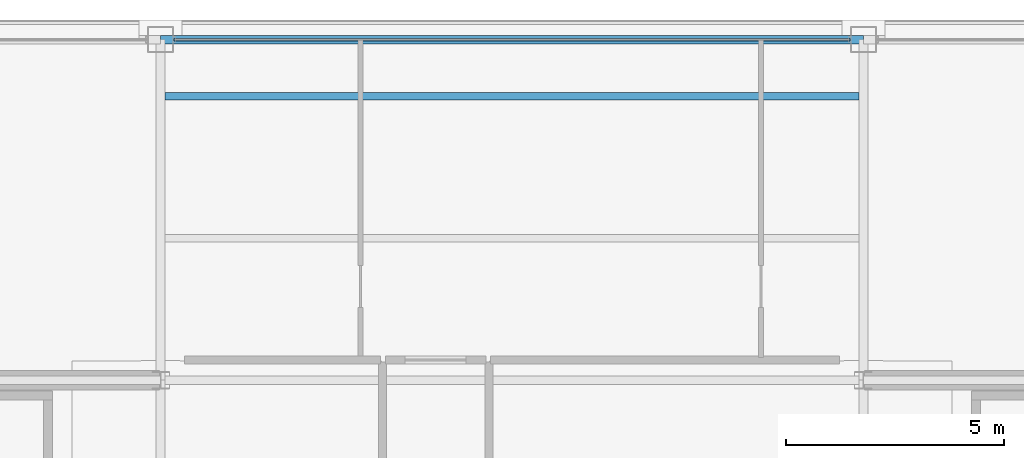
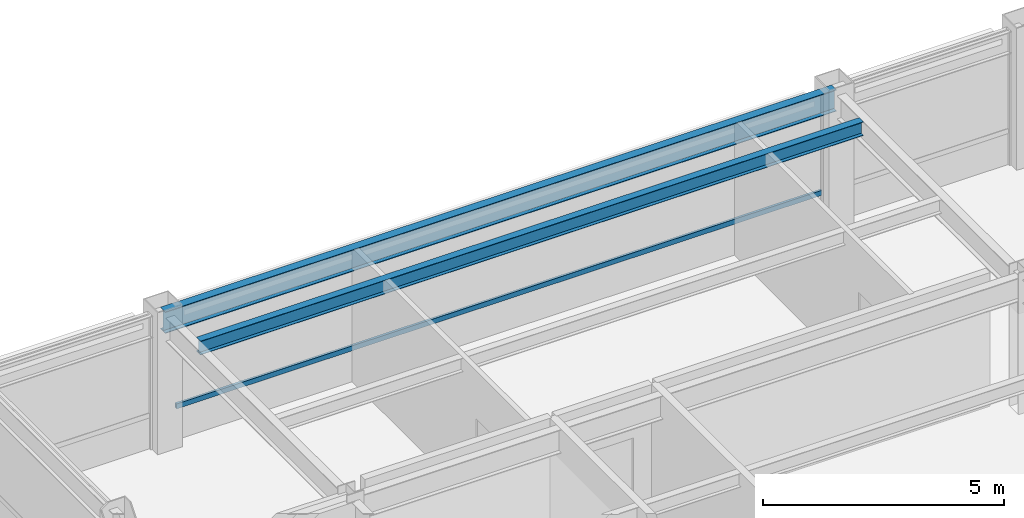
# One storey, part 15 of 22: 2 beams, 1 member, 1 element without a shape of its own.
"""IFC4 building model written with IfcOpenShell, lengths in metres."""

import ifcopenshell
import ifcopenshell.guid

model = None  # the IFC model being written
_history = None  # IfcOwnerHistory: only IFC2X3 demands one
_inside = {}  # id of a spatial element -> (the spatial element, [elements in it])
_under = {}  # id of a project, library or spatial element -> (it, [spatial elements below it])
_declared = {}  # id of a project -> (the project, [libraries it declares])
_typed = {}  # id of a type object -> (the type object, [elements of that type])
_made_of = {}  # id of a material, layer set ... -> (it, [elements and type objects made of it])


def new_model(schema):
    """Start an empty IFC model of exactly this schema.

    Asked for "IFC4X3", IfcOpenShell would pick the latest addendum, in which some entities
    have other attributes; the version numbers below select the first issue.
    IFC2X3 requires an IfcOwnerHistory on every rooted entity: one is made here for all.
    """
    global model, _history
    if schema == "IFC4X3":
        model = ifcopenshell.file(schema_version=(4, 3, 0, 0))
    else:
        model = ifcopenshell.file(schema=schema)
    _inside.clear()
    _under.clear()
    _declared.clear()
    _typed.clear()
    _made_of.clear()
    _history = None
    if model.schema == "IFC2X3":
        org = make("IfcOrganization", Name="unknown")
        user = make(
            "IfcPersonAndOrganization",
            ThePerson=make("IfcPerson", FamilyName="unknown"),
            TheOrganization=org,
        )
        app = make(
            "IfcApplication",
            ApplicationDeveloper=org,
            Version="unknown",
            ApplicationFullName="unknown",
            ApplicationIdentifier="unknown",
        )
        _history = make(
            "IfcOwnerHistory",
            OwningUser=user,
            OwningApplication=app,
            ChangeAction="ADDED",
            CreationDate=0,
        )
    return model


def make(cls, **values):
    """One entity of the class cls with the attributes given. An attribute that is None is left unset."""
    return model.create_entity(
        cls, **{name: value for name, value in values.items() if value is not None}
    )


def rooted(cls, **values):
    """An entity with a GlobalId (a new one), such as an element, a storey or a relation."""
    return make(cls, GlobalId=ifcopenshell.guid.new(), OwnerHistory=_history, **values)


def si_unit(unit_type, name, prefix=None):
    """IfcSIUnit, for example si_unit("LENGTHUNIT", "METRE", prefix="MILLI")."""
    return make("IfcSIUnit", UnitType=unit_type, Prefix=prefix, Name=name)


def assignment(units):
    """IfcUnitAssignment: the units of a project."""
    return None if units is None else make("IfcUnitAssignment", Units=units)


def point(xyz):
    """IfcCartesianPoint."""
    return None if xyz is None else make("IfcCartesianPoint", Coordinates=xyz)


def direction(xyz):
    """IfcDirection."""
    return None if xyz is None else make("IfcDirection", DirectionRatios=xyz)


def frame(location, z_axis=None, x_axis=None):
    """IfcAxis2Placement3D, a coordinate frame: its origin and axes. An axis left out is left unset."""
    return make(
        "IfcAxis2Placement3D",
        Location=point(location),
        Axis=direction(z_axis),
        RefDirection=direction(x_axis),
    )


def frame_2d(location, x_axis=None):
    """IfcAxis2Placement2D, a coordinate frame in the plane: its origin and x axis."""
    return make(
        "IfcAxis2Placement2D", Location=point(location), RefDirection=direction(x_axis)
    )


def origin():
    """The frame at (0, 0, 0) with its axes left unset."""
    return frame((0.0, 0.0, 0.0))


def origin_2d():
    """The frame at (0, 0) in the plane with its x axis left unset."""
    return frame_2d((0.0, 0.0))


def place(relative_to, where):
    """IfcLocalPlacement: puts the frame where relative to a parent placement (None: the world)."""
    return make(
        "IfcLocalPlacement", PlacementRelTo=relative_to, RelativePlacement=where
    )


def context(
    kind, dimensions, precision=None, world=None, true_north=None, identifier=None
):
    """IfcGeometricRepresentationContext, for example the 3D "Model" context."""
    return make(
        "IfcGeometricRepresentationContext",
        ContextIdentifier=identifier,
        ContextType=kind,
        CoordinateSpaceDimension=dimensions,
        Precision=precision,
        WorldCoordinateSystem=world,
        TrueNorth=true_north,
    )


def subcontext(parent, identifier, kind, view, scale=None):
    """IfcGeometricRepresentationSubContext, for example "Body" below "Model"."""
    return make(
        "IfcGeometricRepresentationSubContext",
        ContextIdentifier=identifier,
        ContextType=kind,
        ParentContext=parent,
        TargetScale=scale,
        TargetView=view,
    )


def project(units=None, contexts=None):
    """IfcProject with its units and contexts."""
    return rooted(
        "IfcProject",
        Name="project",
        RepresentationContexts=contexts,
        UnitsInContext=assignment(units),
    )


def spatial(cls, under=None, at=None, **own):
    """A site, building, storey or space (cls), placed at a placement, below another one or the project."""
    s = rooted(cls, ObjectPlacement=at, **own)
    if under is not None:
        _under.setdefault(under.id(), (under, []))[1].append(s)
    return s


def profile(cls, at=None, kind="AREA", **sizes):
    """A parametric profile (cls). Its sizes go by their IFC names, for example OverallWidth=200.0."""
    return make(cls, ProfileType=kind, Position=at, **sizes)


def hollow_rectangle(**sizes):
    """IfcRectangleHollowProfileDef."""
    return profile("IfcRectangleHollowProfileDef", **sizes)


def i_section(**sizes):
    """IfcIShapeProfileDef."""
    return profile("IfcIShapeProfileDef", **sizes)


def extrude(swept, where, along, depth):
    """IfcExtrudedAreaSolid: the profile swept, set in the frame where, extruded along a direction by depth."""
    return make(
        "IfcExtrudedAreaSolid",
        SweptArea=swept,
        Position=where,
        ExtrudedDirection=direction(along),
        Depth=depth,
    )


def shape(context_of_items, identifier, shape_type, items):
    """IfcShapeRepresentation: the items that make up one representation, for example the "Body"."""
    return make(
        "IfcShapeRepresentation",
        ContextOfItems=context_of_items,
        RepresentationIdentifier=identifier,
        RepresentationType=shape_type,
        Items=items,
    )


def material(Name=None, Category=None):
    """IfcMaterial."""
    return make("IfcMaterial", Name=Name, Category=Category)


def layer(
    of_material, thickness, ventilated=None, Name=None, Category=None, Priority=None
):
    """IfcMaterialLayer: one layer of a wall or slab, of a material (None: an air gap)."""
    return make(
        "IfcMaterialLayer",
        Material=of_material,
        LayerThickness=thickness,
        IsVentilated=ventilated,
        Name=Name,
        Category=Category,
        Priority=Priority,
    )


def layer_set(layers, Name=None):
    """IfcMaterialLayerSet."""
    return make("IfcMaterialLayerSet", MaterialLayers=layers, LayerSetName=Name)


def material_profile(
    of_material, cross_section, Name=None, Category=None, Priority=None
):
    """IfcMaterialProfile: a cross section and its material."""
    return make(
        "IfcMaterialProfile",
        Name=Name,
        Material=of_material,
        Profile=cross_section,
        Priority=Priority,
        Category=Category,
    )


def profile_set(profiles, Name=None, composite=None):
    """IfcMaterialProfileSet."""
    return make(
        "IfcMaterialProfileSet",
        Name=Name,
        MaterialProfiles=profiles,
        CompositeProfile=composite,
    )


def made_of(thing, what):
    """Note that an element or type object is made of a material, layer set ...; save() writes the relation."""
    if what is not None:
        _made_of.setdefault(what.id(), (what, []))[1].append(thing)
    return thing


def type_object(cls, material=None, **own):
    """A type object (cls), such as IfcWallType, which elements share."""
    return made_of(rooted(cls, **own), material)


def element(
    cls,
    number,
    at=None,
    inside=None,
    cuts=None,
    type_object=None,
    material=None,
    context=None,
    identifier="Body",
    shape_type=None,
    held_by="IfcProductDefinitionShape",
    body=None,
    shapes=None,
    **own,
):
    """One element of the class cls, such as IfcWall. Its Tag is "e" and its number.

    at: its placement. inside: the storey or other place that contains it. cuts: it is an
    opening in that element (IfcRelVoidsElement). A single representation is given by context,
    identifier, shape_type and body (its items); several are given by shapes. held_by: the class
    of the entity that holds the representations. save() writes the other relations.
    """
    e = rooted(cls, Tag="e%d" % number, ObjectPlacement=at, **own)
    if body is not None:
        shapes = [shape(context, identifier, shape_type, body)]
    if shapes is not None:
        e.Representation = make(held_by, Representations=shapes)
    if inside is not None:
        _inside.setdefault(inside.id(), (inside, []))[1].append(e)
    if cuts is not None:
        rooted(
            "IfcRelVoidsElement", RelatingBuildingElement=cuts, RelatedOpeningElement=e
        )
    if type_object is not None:
        _typed.setdefault(type_object.id(), (type_object, []))[1].append(e)
    return made_of(e, material)


def aggregate(whole, parts):
    """IfcRelAggregates: a whole, such as a stair, and the parts it consists of."""
    return rooted("IfcRelAggregates", RelatingObject=whole, RelatedObjects=parts)


def save(model, path):
    """Write the relations noted so far, then the file.

    IfcRelAggregates (storeys below a building ...), IfcRelContainedInSpatialStructure (elements
    in a storey), IfcRelDefinesByType, IfcRelAssociatesMaterial and IfcRelDeclares: one each for
    every whole, place, type object, material and project.
    """
    for whole, parts in _under.values():
        aggregate(whole, parts)
    for where, things in _inside.values():
        rooted(
            "IfcRelContainedInSpatialStructure",
            RelatedElements=things,
            RelatingStructure=where,
        )
    for kind, things in _typed.values():
        rooted("IfcRelDefinesByType", RelatedObjects=things, RelatingType=kind)
    for what, things in _made_of.values():
        rooted("IfcRelAssociatesMaterial", RelatedObjects=things, RelatingMaterial=what)
    for by, libraries in _declared.values():
        rooted("IfcRelDeclares", RelatingContext=by, RelatedDefinitions=libraries)
    model.write(path)


model = new_model("IFC4")

# Units and contexts
model_context = context("Model", 3, precision=1e-05, world=origin(), true_north=direction((0.0, 1.0)))
body_context = subcontext(model_context, "Body", "Model", "MODEL_VIEW")
ifc_project = project(units=[si_unit("LENGTHUNIT", "METRE"), si_unit("AREAUNIT", "SQUARE_METRE"), si_unit("VOLUMEUNIT", "CUBIC_METRE"), si_unit("PLANEANGLEUNIT", "RADIAN"), si_unit("MASSUNIT", "GRAM", prefix="KILO")], contexts=[model_context])

# Site, building, storey
site_placement = place(None, origin())
site = spatial("IfcSite", under=ifc_project, at=site_placement, CompositionType="ELEMENT")
building_placement = place(site_placement, origin())
building = spatial("IfcBuilding", under=site, at=building_placement, Name="Brelmoor Portico Tower", CompositionType="ELEMENT")
storey_placement = place(building_placement, frame((0.0, 0.0, 280.800048828125)))
storey = spatial("IfcBuildingStorey", under=building, at=storey_placement, Name="L74", CompositionType="ELEMENT", Elevation=280.800048828125)

# Beams
ifc_material_1 = material(Name="Steel Q355B", Category="steel")
ifc_material_profile_1 = material_profile(ifc_material_1, i_section(OverallWidth=0.175048828125, OverallDepth=0.35009765625, WebThickness=0.007080078125, FlangeThickness=0.010986328125, at=origin_2d()), Name="HN 350x175x7x11")
ifc_profile_set_1 = profile_set([ifc_material_profile_1], Name="Steel Q355B")
beam_type_1 = type_object("IfcBeamType", Name="BM-JS-350", PredefinedType="JOIST", material=ifc_profile_set_1)
beam_1_placement = place(storey_placement, frame((-7.949951171875, 16.25, 3.224853515625), z_axis=(1.0, 0.0, 0.0), x_axis=(0.0, 1.0, 0.0)))
element("IfcBeam", 1, at=beam_1_placement, inside=storey, type_object=beam_type_1, Name="L74 Secondary Composite Joist JS-C06", PredefinedType="JOIST", context=body_context, shape_type="SweptSolid", body=[
    extrude(i_section(OverallWidth=0.175048828125, OverallDepth=0.35009765625, WebThickness=0.007080078125, FlangeThickness=0.010986328125, at=origin_2d()), origin(), (0.0, 0.0, 1.0), 15.89990234375),
])
ifc_material_profile_2 = material_profile(ifc_material_1, i_section(OverallWidth=0.199951171875, OverallDepth=0.550048828125, WebThickness=0.010009765625, FlangeThickness=0.01611328125, at=origin_2d()), Name="HN 550x200x10x16")
ifc_profile_set_2 = profile_set([ifc_material_profile_2], Name="Steel Q355B")
beam_type_2 = type_object("IfcBeamType", Name="BM-SP-550", PredefinedType="SPANDREL", material=ifc_profile_set_2)
beam_2_placement = place(storey_placement, frame((-8.050048828125, 17.550048828125, 3.125), z_axis=(1.0, 0.0, 0.0), x_axis=(0.0, 1.0, 0.0)))
element("IfcBeam", 2, at=beam_2_placement, inside=storey, type_object=beam_type_2, Name="L74 Perimeter Spandrel Beam SP-09", PredefinedType="SPANDREL", context=body_context, shape_type="SweptSolid", body=[
    extrude(i_section(OverallWidth=0.199951171875, OverallDepth=0.550048828125, WebThickness=0.010009765625, FlangeThickness=0.01611328125, at=origin_2d()), origin(), (0.0, 0.0, 1.0), 16.10009765625),
])

# Curtain wall, member
ifc_material_2 = material(Name="Anodised Aluminium Alloy 6063-T6", Category="aluminium")
ifc_layer = layer(ifc_material_2, 0.179931640625)
ifc_layer_set = layer_set([ifc_layer], Name="Anodised Aluminium Alloy 6063-T6")
curtain_wall_type = type_object("IfcCurtainWallType", Name="CW-TOWER-Z4", PredefinedType="NOTDEFINED", material=ifc_layer_set)
curtain_wall_placement = place(storey_placement, origin())
curtain_wall = element("IfcCurtainWall", 3, at=curtain_wall_placement, inside=storey, type_object=curtain_wall_type, Name="L74 Curtain Wall CW-L74-02-2", PredefinedType="NOTDEFINED")
ifc_material_profile_3 = material_profile(ifc_material_2, hollow_rectangle(XDim=0.06005859375, YDim=0.125, WallThickness=0.00341796875, at=origin_2d()), Name="ALU TRANSOM 60x125")
ifc_profile_set_3 = profile_set([ifc_material_profile_3], Name="Anodised Aluminium Alloy 6063-T6")
member_type = type_object("IfcMemberType", Name="MB-CW-TRAN-125", PredefinedType="USERDEFINED", material=ifc_profile_set_3)
member_placement = place(storey_placement, frame((-7.739990234375, 17.550048828125, 0.849853515625), z_axis=(1.0, 0.0, 0.0), x_axis=(0.0, 1.0, 0.0)))
member = element("IfcMember", 4, at=member_placement, type_object=member_type, Name="CW-L74-02-2 Transom 1-00", ObjectType="TRANSOM", PredefinedType="USERDEFINED", context=body_context, shape_type="SweptSolid", body=[
    extrude(hollow_rectangle(XDim=0.06005859375, YDim=0.125, WallThickness=0.00341796875, at=origin_2d()), origin(), (0.0, 0.0, 1.0), 15.47998046875),
])
aggregate(curtain_wall, [member])

save(model, "model.ifc")
